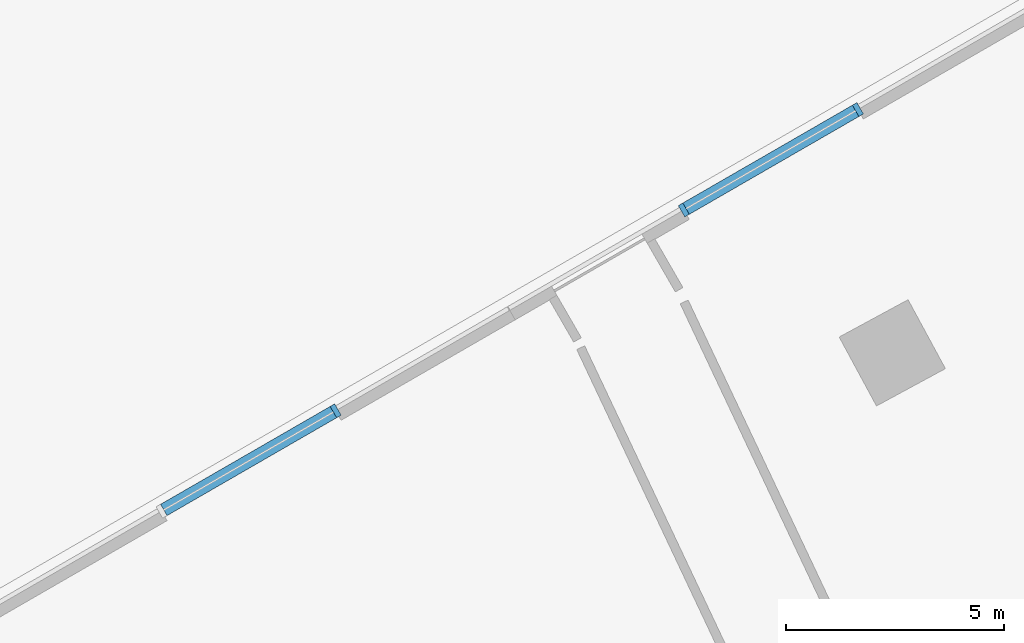
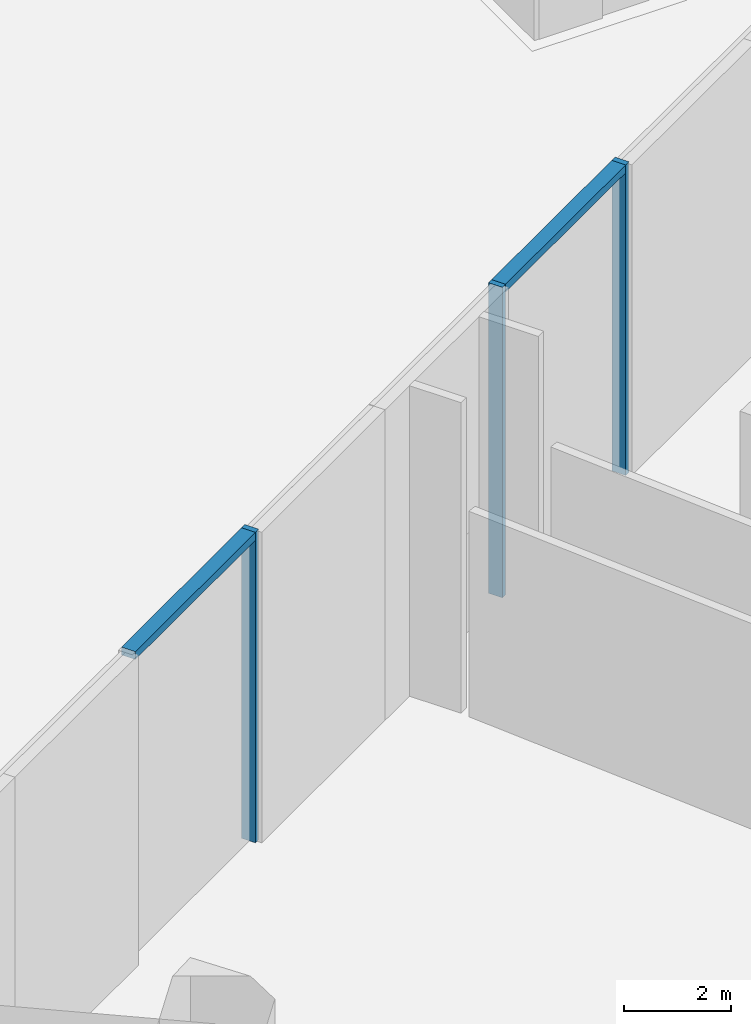
# One storey, part 5 of 41: 5 members, 1 element without a shape of its own.
"""IFC4 building model written with IfcOpenShell, lengths in metres."""

import ifcopenshell
import ifcopenshell.guid

model = None  # the IFC model being written
_history = None  # IfcOwnerHistory: only IFC2X3 demands one
_inside = {}  # id of a spatial element -> (the spatial element, [elements in it])
_under = {}  # id of a project, library or spatial element -> (it, [spatial elements below it])
_declared = {}  # id of a project -> (the project, [libraries it declares])
_typed = {}  # id of a type object -> (the type object, [elements of that type])
_made_of = {}  # id of a material, layer set ... -> (it, [elements and type objects made of it])


def new_model(schema):
    """Start an empty IFC model of exactly this schema.

    Asked for "IFC4X3", IfcOpenShell would pick the latest addendum, in which some entities
    have other attributes; the version numbers below select the first issue.
    IFC2X3 requires an IfcOwnerHistory on every rooted entity: one is made here for all.
    """
    global model, _history
    if schema == "IFC4X3":
        model = ifcopenshell.file(schema_version=(4, 3, 0, 0))
    else:
        model = ifcopenshell.file(schema=schema)
    _inside.clear()
    _under.clear()
    _declared.clear()
    _typed.clear()
    _made_of.clear()
    _history = None
    if model.schema == "IFC2X3":
        org = make("IfcOrganization", Name="unknown")
        user = make(
            "IfcPersonAndOrganization",
            ThePerson=make("IfcPerson", FamilyName="unknown"),
            TheOrganization=org,
        )
        app = make(
            "IfcApplication",
            ApplicationDeveloper=org,
            Version="unknown",
            ApplicationFullName="unknown",
            ApplicationIdentifier="unknown",
        )
        _history = make(
            "IfcOwnerHistory",
            OwningUser=user,
            OwningApplication=app,
            ChangeAction="ADDED",
            CreationDate=0,
        )
    return model


def make(cls, **values):
    """One entity of the class cls with the attributes given. An attribute that is None is left unset."""
    return model.create_entity(
        cls, **{name: value for name, value in values.items() if value is not None}
    )


def rooted(cls, **values):
    """An entity with a GlobalId (a new one), such as an element, a storey or a relation."""
    return make(cls, GlobalId=ifcopenshell.guid.new(), OwnerHistory=_history, **values)


def si_unit(unit_type, name, prefix=None):
    """IfcSIUnit, for example si_unit("LENGTHUNIT", "METRE", prefix="MILLI")."""
    return make("IfcSIUnit", UnitType=unit_type, Prefix=prefix, Name=name)


def assignment(units):
    """IfcUnitAssignment: the units of a project."""
    return None if units is None else make("IfcUnitAssignment", Units=units)


def point(xyz):
    """IfcCartesianPoint."""
    return None if xyz is None else make("IfcCartesianPoint", Coordinates=xyz)


def direction(xyz):
    """IfcDirection."""
    return None if xyz is None else make("IfcDirection", DirectionRatios=xyz)


def frame(location, z_axis=None, x_axis=None):
    """IfcAxis2Placement3D, a coordinate frame: its origin and axes. An axis left out is left unset."""
    return make(
        "IfcAxis2Placement3D",
        Location=point(location),
        Axis=direction(z_axis),
        RefDirection=direction(x_axis),
    )


def frame_2d(location, x_axis=None):
    """IfcAxis2Placement2D, a coordinate frame in the plane: its origin and x axis."""
    return make(
        "IfcAxis2Placement2D", Location=point(location), RefDirection=direction(x_axis)
    )


def origin():
    """The frame at (0, 0, 0) with its axes left unset."""
    return frame((0.0, 0.0, 0.0))


def origin_2d():
    """The frame at (0, 0) in the plane with its x axis left unset."""
    return frame_2d((0.0, 0.0))


def place(relative_to, where):
    """IfcLocalPlacement: puts the frame where relative to a parent placement (None: the world)."""
    return make(
        "IfcLocalPlacement", PlacementRelTo=relative_to, RelativePlacement=where
    )


def context(
    kind, dimensions, precision=None, world=None, true_north=None, identifier=None
):
    """IfcGeometricRepresentationContext, for example the 3D "Model" context."""
    return make(
        "IfcGeometricRepresentationContext",
        ContextIdentifier=identifier,
        ContextType=kind,
        CoordinateSpaceDimension=dimensions,
        Precision=precision,
        WorldCoordinateSystem=world,
        TrueNorth=true_north,
    )


def subcontext(parent, identifier, kind, view, scale=None):
    """IfcGeometricRepresentationSubContext, for example "Body" below "Model"."""
    return make(
        "IfcGeometricRepresentationSubContext",
        ContextIdentifier=identifier,
        ContextType=kind,
        ParentContext=parent,
        TargetScale=scale,
        TargetView=view,
    )


def project(units=None, contexts=None):
    """IfcProject with its units and contexts."""
    return rooted(
        "IfcProject",
        Name="project",
        RepresentationContexts=contexts,
        UnitsInContext=assignment(units),
    )


def spatial(cls, under=None, at=None, **own):
    """A site, building, storey or space (cls), placed at a placement, below another one or the project."""
    s = rooted(cls, ObjectPlacement=at, **own)
    if under is not None:
        _under.setdefault(under.id(), (under, []))[1].append(s)
    return s


def profile(cls, at=None, kind="AREA", **sizes):
    """A parametric profile (cls). Its sizes go by their IFC names, for example OverallWidth=200.0."""
    return make(cls, ProfileType=kind, Position=at, **sizes)


def rectangle(**sizes):
    """IfcRectangleProfileDef."""
    return profile("IfcRectangleProfileDef", **sizes)


def extrude(swept, where, along, depth):
    """IfcExtrudedAreaSolid: the profile swept, set in the frame where, extruded along a direction by depth."""
    return make(
        "IfcExtrudedAreaSolid",
        SweptArea=swept,
        Position=where,
        ExtrudedDirection=direction(along),
        Depth=depth,
    )


def shape(context_of_items, identifier, shape_type, items):
    """IfcShapeRepresentation: the items that make up one representation, for example the "Body"."""
    return make(
        "IfcShapeRepresentation",
        ContextOfItems=context_of_items,
        RepresentationIdentifier=identifier,
        RepresentationType=shape_type,
        Items=items,
    )


def material(Name=None, Category=None):
    """IfcMaterial."""
    return make("IfcMaterial", Name=Name, Category=Category)


def material_profile(
    of_material, cross_section, Name=None, Category=None, Priority=None
):
    """IfcMaterialProfile: a cross section and its material."""
    return make(
        "IfcMaterialProfile",
        Name=Name,
        Material=of_material,
        Profile=cross_section,
        Priority=Priority,
        Category=Category,
    )


def profile_set(profiles, Name=None, composite=None):
    """IfcMaterialProfileSet."""
    return make(
        "IfcMaterialProfileSet",
        Name=Name,
        MaterialProfiles=profiles,
        CompositeProfile=composite,
    )


def made_of(thing, what):
    """Note that an element or type object is made of a material, layer set ...; save() writes the relation."""
    if what is not None:
        _made_of.setdefault(what.id(), (what, []))[1].append(thing)
    return thing


def type_object(cls, material=None, **own):
    """A type object (cls), such as IfcWallType, which elements share."""
    return made_of(rooted(cls, **own), material)


def element(
    cls,
    number,
    at=None,
    inside=None,
    cuts=None,
    type_object=None,
    material=None,
    context=None,
    identifier="Body",
    shape_type=None,
    held_by="IfcProductDefinitionShape",
    body=None,
    shapes=None,
    **own,
):
    """One element of the class cls, such as IfcWall. Its Tag is "e" and its number.

    at: its placement. inside: the storey or other place that contains it. cuts: it is an
    opening in that element (IfcRelVoidsElement). A single representation is given by context,
    identifier, shape_type and body (its items); several are given by shapes. held_by: the class
    of the entity that holds the representations. save() writes the other relations.
    """
    e = rooted(cls, Tag="e%d" % number, ObjectPlacement=at, **own)
    if body is not None:
        shapes = [shape(context, identifier, shape_type, body)]
    if shapes is not None:
        e.Representation = make(held_by, Representations=shapes)
    if inside is not None:
        _inside.setdefault(inside.id(), (inside, []))[1].append(e)
    if cuts is not None:
        rooted(
            "IfcRelVoidsElement", RelatingBuildingElement=cuts, RelatedOpeningElement=e
        )
    if type_object is not None:
        _typed.setdefault(type_object.id(), (type_object, []))[1].append(e)
    return made_of(e, material)


def aggregate(whole, parts):
    """IfcRelAggregates: a whole, such as a stair, and the parts it consists of."""
    return rooted("IfcRelAggregates", RelatingObject=whole, RelatedObjects=parts)


def save(model, path):
    """Write the relations noted so far, then the file.

    IfcRelAggregates (storeys below a building ...), IfcRelContainedInSpatialStructure (elements
    in a storey), IfcRelDefinesByType, IfcRelAssociatesMaterial and IfcRelDeclares: one each for
    every whole, place, type object, material and project.
    """
    for whole, parts in _under.values():
        aggregate(whole, parts)
    for where, things in _inside.values():
        rooted(
            "IfcRelContainedInSpatialStructure",
            RelatedElements=things,
            RelatingStructure=where,
        )
    for kind, things in _typed.values():
        rooted("IfcRelDefinesByType", RelatedObjects=things, RelatingType=kind)
    for what, things in _made_of.values():
        rooted("IfcRelAssociatesMaterial", RelatedObjects=things, RelatingMaterial=what)
    for by, libraries in _declared.values():
        rooted("IfcRelDeclares", RelatingContext=by, RelatedDefinitions=libraries)
    model.write(path)


model = new_model("IFC4")

# Units and contexts
model_context = context("Model", 3, precision=1e-05, world=origin(), true_north=direction((0.0, 1.0)))
body_context = subcontext(model_context, "Body", "Model", "MODEL_VIEW")
ifc_project = project(units=[si_unit("LENGTHUNIT", "METRE"), si_unit("AREAUNIT", "SQUARE_METRE"), si_unit("VOLUMEUNIT", "CUBIC_METRE"), si_unit("PLANEANGLEUNIT", "RADIAN"), si_unit("MASSUNIT", "GRAM", prefix="KILO")], contexts=[model_context])

# Site, building, storey
site_placement = place(None, origin())
site = spatial("IfcSite", under=ifc_project, at=site_placement, CompositionType="ELEMENT")
building_placement = place(site_placement, origin())
building = spatial("IfcBuilding", under=site, at=building_placement, Name="Tamra Quay Hotel Tower", CompositionType="ELEMENT")
storey_placement = place(building_placement, origin())
storey = spatial("IfcBuildingStorey", under=building, at=storey_placement, Name="L00", CompositionType="ELEMENT", Elevation=0.0)

# Curtain wall, members
ifc_material = material(Name="Aluminium 6063 anodised dark grey", Category="aluminium")
curtain_wall_type = type_object("IfcCurtainWallType", Name="CW4 CURTAIN WALL", PredefinedType="NOTDEFINED", material=ifc_material)
curtain_wall_placement = place(storey_placement, origin())
curtain_wall = element("IfcCurtainWall", 1, at=curtain_wall_placement, inside=storey, type_object=curtain_wall_type, Name="CW4 north-west face L00", PredefinedType="NOTDEFINED")
ifc_material_profile_1 = material_profile(ifc_material, rectangle(XDim=0.300048828125, YDim=0.1201171875, at=origin_2d()), Name="MULLION 120X300")
ifc_profile_set_1 = profile_set([ifc_material_profile_1], Name="Aluminium 6063 anodised dark grey")
member_type_1 = type_object("IfcMemberType", Name="MULLION CW4", PredefinedType="MULLION", material=ifc_profile_set_1)
member_1_placement = place(storey_placement, frame((-1.987548828125, 30.01513671875, 0.0), z_axis=(0.0, 0.0, 1.0), x_axis=(-0.499671576337, 0.866214936261, 0.0)))
member_1 = element("IfcMember", 2, at=member_1_placement, type_object=member_type_1, Name="CW4 mullion L00.NW.2", PredefinedType="MULLION", context=body_context, shape_type="SweptSolid", body=[
    extrude(rectangle(XDim=0.300048828125, YDim=0.1201171875, at=origin_2d()), origin(), (0.0, 0.0, 1.0), 7.10009765625),
])
member_2_placement = place(storey_placement, frame((-5.989501953125, 27.706787109375, 0.0), z_axis=(0.0, 0.0, 1.0), x_axis=(-0.499671576337, 0.866214936261, 0.0)))
member_2 = element("IfcMember", 3, at=member_2_placement, type_object=member_type_1, Name="CW4 mullion L00.NW.3", PredefinedType="MULLION", context=body_context, shape_type="SweptSolid", body=[
    extrude(rectangle(XDim=0.300048828125, YDim=0.1201171875, at=origin_2d()), origin(), (0.0, 0.0, 1.0), 7.10009765625),
])
member_3_placement = place(storey_placement, frame((-13.992919921875, 23.090087890625, 0.0), z_axis=(0.0, 0.0, 1.0), x_axis=(-0.499671576337, 0.866214936261, 0.0)))
member_3 = element("IfcMember", 4, at=member_3_placement, type_object=member_type_1, Name="CW4 mullion L00.NW.3", PredefinedType="MULLION", context=body_context, shape_type="SweptSolid", body=[
    extrude(rectangle(XDim=0.300048828125, YDim=0.1201171875, at=origin_2d()), origin(), (0.0, 0.0, 1.0), 7.10009765625),
])
ifc_material_profile_2 = material_profile(ifc_material, rectangle(XDim=0.300048828125, YDim=0.179931640625, at=origin_2d()), Name="TRANSOM 300X180")
ifc_profile_set_2 = profile_set([ifc_material_profile_2], Name="Aluminium 6063 anodised dark grey")
member_type_2 = type_object("IfcMemberType", Name="TRANSOM CW4", PredefinedType="USERDEFINED", material=ifc_profile_set_2)
member_4_placement = place(storey_placement, frame((-2.03955078125, 29.985107421875, 7.010009765625), z_axis=(-0.866236163458, -0.499634775729, 0.0), x_axis=(0.499634775729, -0.866236163458, 0.0)))
member_4 = element("IfcMember", 5, at=member_4_placement, type_object=member_type_2, Name="CW4 transom L00.NW.2", ObjectType="TRANSOM", PredefinedType="USERDEFINED", context=body_context, shape_type="SweptSolid", body=[
    extrude(rectangle(XDim=0.300048828125, YDim=0.179931640625, at=origin_2d()), origin(), (0.0, 0.0, 1.0), 4.499755859375),
])
member_5_placement = place(storey_placement, frame((-14.044921875, 23.06005859375, 7.010009765625), z_axis=(-0.866199134709, -0.49969896841, 0.0), x_axis=(0.49969896841, -0.866199134709, 0.0)))
member_5 = element("IfcMember", 6, at=member_5_placement, type_object=member_type_2, Name="CW4 transom L00.NW.3", ObjectType="TRANSOM", PredefinedType="USERDEFINED", context=body_context, shape_type="SweptSolid", body=[
    extrude(rectangle(XDim=0.300048828125, YDim=0.179931640625, at=origin_2d()), origin(), (0.0, 0.0, 1.0), 4.499755859375),
])
aggregate(curtain_wall, [member_1, member_4, member_2, member_3, member_5])

save(model, "model.ifc")
